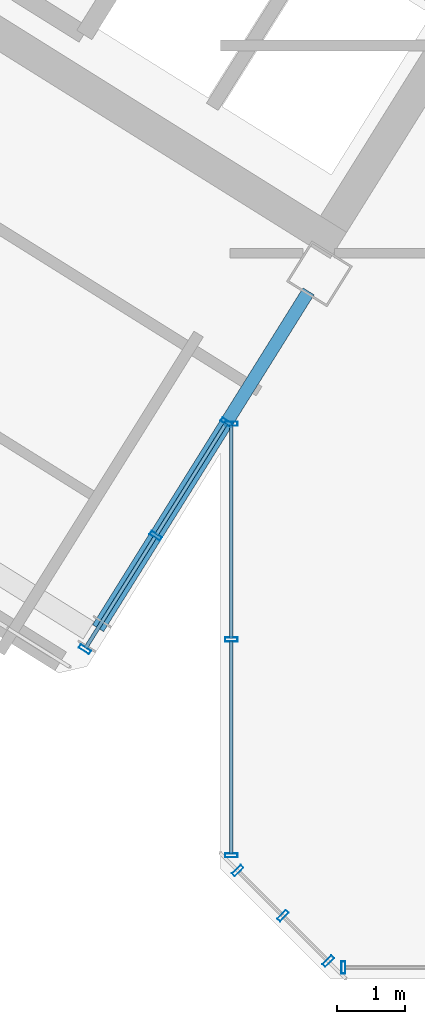
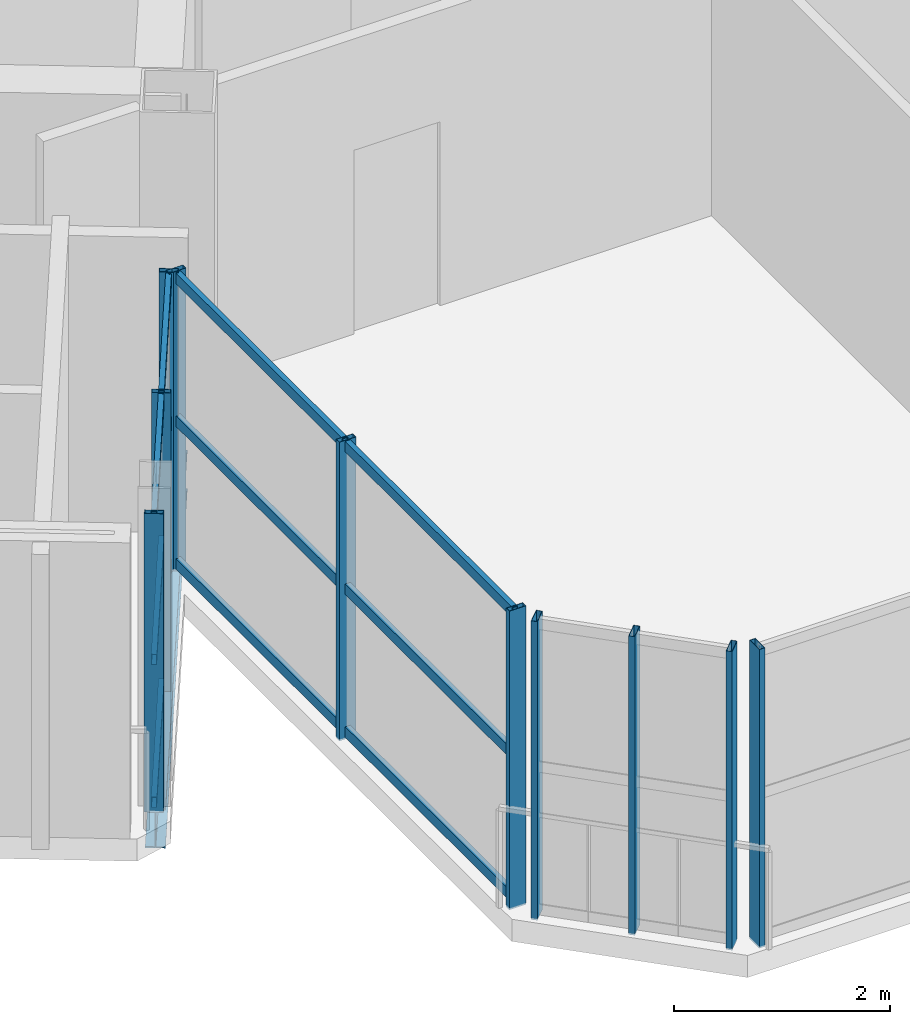
# One storey, part 3 of 17: 22 members, 1 beam, 4 elements without a shape of their own.
"""IFC4 building model written with IfcOpenShell, lengths in metres."""

from ifc_helpers import new_model, si_unit, direction, frame, origin, origin_2d, place, context, subcontext, project, spatial, hollow_rectangle, i_section, extrude, source, transform, mapped, material, material_profile, profile_set, type_object, element, aggregate, save


model = new_model("IFC4")

# Units and contexts
model_context = context("Model", 3, precision=1e-05, world=origin(), true_north=direction((0.0, 1.0)))
body_context = subcontext(model_context, "Body", "Model", "MODEL_VIEW")
ifc_project = project(units=[si_unit("LENGTHUNIT", "METRE"), si_unit("AREAUNIT", "SQUARE_METRE"), si_unit("VOLUMEUNIT", "CUBIC_METRE"), si_unit("PLANEANGLEUNIT", "RADIAN"), si_unit("MASSUNIT", "GRAM", prefix="KILO")], contexts=[model_context])

# Site, building, storey
site_placement = place(None, origin())
site = spatial("IfcSite", under=ifc_project, at=site_placement, CompositionType="ELEMENT")
building_placement = place(site_placement, origin())
building = spatial("IfcBuilding", under=site, at=building_placement, Name="Tlacorven Tower", CompositionType="ELEMENT")
storey_placement = place(building_placement, frame((0.0, 0.0, 277.199951171875)))
storey = spatial("IfcBuildingStorey", under=building, at=storey_placement, Name="L70", CompositionType="ELEMENT", Elevation=277.199951171875)

# Beam
ifc_material_1 = material(Name="Steel S355J2", Category="steel")
ifc_material_profile_1 = material_profile(ifc_material_1, i_section(OverallWidth=0.18994140625, OverallDepth=0.449951171875, WebThickness=0.009521484375, FlangeThickness=0.0146484375, at=origin_2d()), Name="IPE 450")
ifc_profile_set_1 = profile_set([ifc_material_profile_1], Name="Steel S355J2")
beam_type = type_object("IfcBeamType", Name="BM-TWR-450", PredefinedType="BEAM", material=ifc_profile_set_1)
shared_shape_1 = source(origin(), body_context, "Body", "SweptSolid", [
    extrude(i_section(OverallWidth=0.18994140625, OverallDepth=0.449951171875, WebThickness=0.009521484375, FlangeThickness=0.0146484375, at=origin_2d()), origin(), (0.0, 0.0, 1.0), 5.800048828125),
])
beam_placement = place(storey_placement, frame((32.88720703125, 11.83251953125, -0.474853515625), z_axis=(-0.529911912967, -0.848052689693, 0.0), x_axis=(0.848052689693, -0.529911912967, 0.0)))
element("IfcBeam", 1, at=beam_placement, inside=storey, type_object=beam_type, Name="L70 beam BM-L70-WT1-2", PredefinedType="BEAM", context=body_context, shape_type="MappedRepresentation", body=[
    mapped(shared_shape_1, transform((0.0, 0.0, 0.0), scale=1.0)),
])

# Curtain wall, member
ifc_material_2 = material(Name="Dark solar low-E double glazing in aluminium frame", Category="aluminium")
curtain_wall_type = type_object("IfcCurtainWallType", Name="CW-TWR-HIGH", PredefinedType="USERDEFINED", material=ifc_material_2)
curtain_wall_1_placement = place(storey_placement, origin())
curtain_wall_1 = element("IfcCurtainWall", 2, at=curtain_wall_1_placement, inside=storey, type_object=curtain_wall_type, Name="L70 CW-TWR-HIGH Curtain Wall 324", ObjectType="UNITISED CURTAIN WALL", PredefinedType="USERDEFINED")
ifc_material_3 = material(Name="Aluminium 6063-T6 anodised", Category="aluminium")
ifc_material_profile_2 = material_profile(ifc_material_3, hollow_rectangle(XDim=0.06005859375, YDim=0.179931640625, WallThickness=0.00390625, at=origin_2d()), Name="ALU MULLION 60X180")
ifc_profile_set_2 = profile_set([ifc_material_profile_2], Name="Aluminium 6063-T6 anodised")
member_type_1 = type_object("IfcMemberType", Name="CWM-03", PredefinedType="MULLION", material=ifc_profile_set_2)
shared_shape_2 = source(origin(), body_context, "Body", "SweptSolid", [
    extrude(hollow_rectangle(XDim=0.06005859375, YDim=0.179931640625, WallThickness=0.00390625, at=origin_2d()), origin(), (0.0, 0.0, 1.0), 3.380126953125),
])
member_1_placement = place(storey_placement, frame((33.396240234375, 1.9599609375, -0.02001953125), z_axis=(0.0, 0.0, 1.0), x_axis=(-1.0, 0.0, 0.0)))
member_1 = element("IfcMember", 3, at=member_1_placement, type_object=member_type_1, Name="CW-L70-324 Mullion 4", PredefinedType="MULLION", context=body_context, shape_type="MappedRepresentation", body=[
    mapped(shared_shape_2, transform((0.0, 0.0, 0.0), scale=1.0)),
])
aggregate(curtain_wall_1, [member_1])

# Curtain wall, members
curtain_wall_2_placement = place(storey_placement, origin())
curtain_wall_2 = element("IfcCurtainWall", 4, at=curtain_wall_2_placement, inside=storey, type_object=curtain_wall_type, Name="L70 CW-TWR-HIGH Curtain Wall 325", ObjectType="UNITISED CURTAIN WALL", PredefinedType="USERDEFINED")
member_2_placement = place(storey_placement, frame((33.17431640625, 2.052001953125, -0.02001953125), z_axis=(0.0, 0.0, 1.0), x_axis=(-0.707106781187, 0.707106781187, 0.0)))
member_2 = element("IfcMember", 5, at=member_2_placement, type_object=member_type_1, Name="CW-L70-325 Mullion 1", PredefinedType="MULLION", context=body_context, shape_type="MappedRepresentation", body=[
    mapped(shared_shape_2, transform((0.0, 0.0, 0.0), scale=1.0)),
])
member_3_placement = place(storey_placement, frame((32.51318359375, 2.713134765625, -0.02001953125), z_axis=(0.0, 0.0, 1.0), x_axis=(-0.707106781187, 0.707106781187, 0.0)))
member_3 = element("IfcMember", 6, at=member_3_placement, type_object=member_type_1, Name="CW-L70-325 Mullion 2", PredefinedType="MULLION", context=body_context, shape_type="MappedRepresentation", body=[
    mapped(shared_shape_2, transform((0.0, 0.0, 0.0), scale=1.0)),
])
member_4_placement = place(storey_placement, frame((31.851806640625, 3.374267578125, -0.02001953125), z_axis=(0.0, 0.0, 1.0), x_axis=(-0.707106781187, 0.707106781187, 0.0)))
member_4 = element("IfcMember", 7, at=member_4_placement, type_object=member_type_1, Name="CW-L70-325 Mullion 3", PredefinedType="MULLION", context=body_context, shape_type="MappedRepresentation", body=[
    mapped(shared_shape_2, transform((0.0, 0.0, 0.0), scale=1.0)),
])
aggregate(curtain_wall_2, [member_2, member_3, member_4])

curtain_wall_3_placement = place(storey_placement, origin())
curtain_wall_3 = element("IfcCurtainWall", 8, at=curtain_wall_3_placement, inside=storey, type_object=curtain_wall_type, Name="L70 CW-TWR-HIGH Curtain Wall 326", ObjectType="UNITISED CURTAIN WALL", PredefinedType="USERDEFINED")
member_5_placement = place(storey_placement, frame((31.760009765625, 3.59619140625, -0.02001953125), z_axis=(0.0, 0.0, 1.0), x_axis=(0.0, 1.0, 0.0)))
member_5 = element("IfcMember", 9, at=member_5_placement, type_object=member_type_1, Name="CW-L70-326 Mullion 1", PredefinedType="MULLION", context=body_context, shape_type="MappedRepresentation", body=[
    mapped(shared_shape_2, transform((0.0, 0.0, 0.0), scale=1.0)),
])
member_6_placement = place(storey_placement, frame((31.760009765625, 6.74755859375, -0.02001953125), z_axis=(0.0, 0.0, 1.0), x_axis=(0.0, 1.0, 0.0)))
member_6 = element("IfcMember", 10, at=member_6_placement, type_object=member_type_1, Name="CW-L70-326 Mullion 2", PredefinedType="MULLION", context=body_context, shape_type="MappedRepresentation", body=[
    mapped(shared_shape_2, transform((0.0, 0.0, 0.0), scale=1.0)),
])
member_7_placement = place(storey_placement, frame((31.760009765625, 9.898681640625, -0.02001953125), z_axis=(0.0, 0.0, 1.0), x_axis=(0.0, 1.0, 0.0)))
member_7 = element("IfcMember", 11, at=member_7_placement, type_object=member_type_1, Name="CW-L70-326 Mullion 3", PredefinedType="MULLION", context=body_context, shape_type="MappedRepresentation", body=[
    mapped(shared_shape_2, transform((0.0, 0.0, 0.0), scale=1.0)),
])

curtain_wall_4_placement = place(storey_placement, origin())
curtain_wall_4 = element("IfcCurtainWall", 12, at=curtain_wall_4_placement, inside=storey, type_object=curtain_wall_type, Name="L70 CW-TWR-HIGH Curtain Wall 327", ObjectType="UNITISED CURTAIN WALL", PredefinedType="USERDEFINED")
member_8_placement = place(storey_placement, frame((31.691162109375, 9.91845703125, -0.02001953125), z_axis=(0.0, 0.0, 1.0), x_axis=(-0.529918710919, -0.848048441905, 0.0)))
member_8 = element("IfcMember", 13, at=member_8_placement, type_object=member_type_1, Name="CW-L70-327 Mullion 1", PredefinedType="MULLION", context=body_context, shape_type="MappedRepresentation", body=[
    mapped(shared_shape_2, transform((0.0, 0.0, 0.0), scale=1.0)),
])
member_9_placement = place(storey_placement, frame((30.656005859375, 8.261962890625, -0.02001953125), z_axis=(0.0, 0.0, 1.0), x_axis=(-0.529918710919, -0.848048441905, 0.0)))
member_9 = element("IfcMember", 14, at=member_9_placement, type_object=member_type_1, Name="CW-L70-327 Mullion 2", PredefinedType="MULLION", context=body_context, shape_type="MappedRepresentation", body=[
    mapped(shared_shape_2, transform((0.0, 0.0, 0.0), scale=1.0)),
])
member_10_placement = place(storey_placement, frame((29.620849609375, 6.605224609375, -0.02001953125), z_axis=(0.0, 0.0, 1.0), x_axis=(-0.529918710919, -0.848048441905, 0.0)))
member_10 = element("IfcMember", 15, at=member_10_placement, type_object=member_type_1, Name="CW-L70-327 Mullion 3", PredefinedType="MULLION", context=body_context, shape_type="MappedRepresentation", body=[
    mapped(shared_shape_2, transform((0.0, 0.0, 0.0), scale=1.0)),
])

# Member
ifc_material_profile_3 = material_profile(ifc_material_3, hollow_rectangle(XDim=0.054931640625, YDim=0.1201171875, WallThickness=0.00341796875, at=origin_2d()), Name="ALU TRANSOM 55X120")
ifc_profile_set_3 = profile_set([ifc_material_profile_3], Name="Aluminium 6063-T6 anodised")
member_type_2 = type_object("IfcMemberType", Name="CWT-03", PredefinedType="USERDEFINED", material=ifc_profile_set_3)
shared_shape_3 = source(origin(), body_context, "Body", "SweptSolid", [
    extrude(hollow_rectangle(XDim=0.054931640625, YDim=0.1201171875, WallThickness=0.00341796875, at=origin_2d()), origin(), (0.0, 0.0, 1.0), 3.115234375),
])
member_11_placement = place(storey_placement, frame((31.760009765625, 3.6142578125, 0.06005859375), z_axis=(0.0, 1.0, 0.0), x_axis=(-1.0, 0.0, 0.0)))
member_11 = element("IfcMember", 16, at=member_11_placement, type_object=member_type_2, Name="CW-L70-326 Transom 1", ObjectType="TRANSOM", PredefinedType="USERDEFINED", context=body_context, shape_type="MappedRepresentation", body=[
    mapped(shared_shape_3, transform((0.0, 0.0, 0.0), scale=1.0)),
])

member_12_placement = place(storey_placement, frame((31.760009765625, 3.6142578125, 1.675048828125), z_axis=(0.0, 1.0, 0.0), x_axis=(-1.0, 0.0, 0.0)))
member_12 = element("IfcMember", 17, at=member_12_placement, type_object=member_type_2, Name="CW-L70-326 Transom 2", ObjectType="TRANSOM", PredefinedType="USERDEFINED", context=body_context, shape_type="MappedRepresentation", body=[
    mapped(shared_shape_3, transform((0.0, 0.0, 0.0), scale=1.0)),
])

member_13_placement = place(storey_placement, frame((31.760009765625, 3.6142578125, 3.2900390625), z_axis=(0.0, 1.0, 0.0), x_axis=(-1.0, 0.0, 0.0)))
member_13 = element("IfcMember", 18, at=member_13_placement, type_object=member_type_2, Name="CW-L70-326 Transom 3", ObjectType="TRANSOM", PredefinedType="USERDEFINED", context=body_context, shape_type="MappedRepresentation", body=[
    mapped(shared_shape_3, transform((0.0, 0.0, 0.0), scale=1.0)),
])

member_14_placement = place(storey_placement, frame((31.760009765625, 6.765380859375, 0.06005859375), z_axis=(0.0, 1.0, 0.0), x_axis=(-1.0, 0.0, 0.0)))
member_14 = element("IfcMember", 19, at=member_14_placement, type_object=member_type_2, Name="CW-L70-326 Transom 4", ObjectType="TRANSOM", PredefinedType="USERDEFINED", context=body_context, shape_type="MappedRepresentation", body=[
    mapped(shared_shape_3, transform((0.0, 0.0, 0.0), scale=1.0)),
])

member_15_placement = place(storey_placement, frame((31.760009765625, 6.765380859375, 1.675048828125), z_axis=(0.0, 1.0, 0.0), x_axis=(-1.0, 0.0, 0.0)))
member_15 = element("IfcMember", 20, at=member_15_placement, type_object=member_type_2, Name="CW-L70-326 Transom 5", ObjectType="TRANSOM", PredefinedType="USERDEFINED", context=body_context, shape_type="MappedRepresentation", body=[
    mapped(shared_shape_3, transform((0.0, 0.0, 0.0), scale=1.0)),
])

member_16_placement = place(storey_placement, frame((31.760009765625, 6.765380859375, 3.2900390625), z_axis=(0.0, 1.0, 0.0), x_axis=(-1.0, 0.0, 0.0)))
member_16 = element("IfcMember", 21, at=member_16_placement, type_object=member_type_2, Name="CW-L70-326 Transom 6", ObjectType="TRANSOM", PredefinedType="USERDEFINED", context=body_context, shape_type="MappedRepresentation", body=[
    mapped(shared_shape_3, transform((0.0, 0.0, 0.0), scale=1.0)),
])

aggregate(curtain_wall_3, [member_5, member_6, member_7, member_11, member_12, member_13, member_14, member_15, member_16])

shared_shape_4 = source(origin(), body_context, "Body", "SweptSolid", [
    extrude(hollow_rectangle(XDim=0.054931640625, YDim=0.1201171875, WallThickness=0.00341796875, at=origin_2d()), origin(), (0.0, 0.0, 1.0), 1.91748046875),
])
member_17_placement = place(storey_placement, frame((31.681640625, 9.903076171875, 0.06005859375), z_axis=(-0.529953157166, -0.84802691656, 0.0), x_axis=(0.84802691656, -0.529953157166, 0.0)))
member_17 = element("IfcMember", 22, at=member_17_placement, type_object=member_type_2, Name="CW-L70-327 Transom 1", ObjectType="TRANSOM", PredefinedType="USERDEFINED", context=body_context, shape_type="MappedRepresentation", body=[
    mapped(shared_shape_4, transform((0.0, 0.0, 0.0), scale=1.0)),
])

member_18_placement = place(storey_placement, frame((31.681640625, 9.903076171875, 1.675048828125), z_axis=(-0.529953157166, -0.84802691656, 0.0), x_axis=(0.84802691656, -0.529953157166, 0.0)))
member_18 = element("IfcMember", 23, at=member_18_placement, type_object=member_type_2, Name="CW-L70-327 Transom 2", ObjectType="TRANSOM", PredefinedType="USERDEFINED", context=body_context, shape_type="MappedRepresentation", body=[
    mapped(shared_shape_4, transform((0.0, 0.0, 0.0), scale=1.0)),
])

member_19_placement = place(storey_placement, frame((31.681640625, 9.903076171875, 3.2900390625), z_axis=(-0.529953157166, -0.84802691656, 0.0), x_axis=(0.84802691656, -0.529953157166, 0.0)))
member_19 = element("IfcMember", 24, at=member_19_placement, type_object=member_type_2, Name="CW-L70-327 Transom 3", ObjectType="TRANSOM", PredefinedType="USERDEFINED", context=body_context, shape_type="MappedRepresentation", body=[
    mapped(shared_shape_4, transform((0.0, 0.0, 0.0), scale=1.0)),
])

member_20_placement = place(storey_placement, frame((30.646484375, 8.24658203125, 0.06005859375), z_axis=(-0.529953157166, -0.84802691656, 0.0), x_axis=(0.84802691656, -0.529953157166, 0.0)))
member_20 = element("IfcMember", 25, at=member_20_placement, type_object=member_type_2, Name="CW-L70-327 Transom 4", ObjectType="TRANSOM", PredefinedType="USERDEFINED", context=body_context, shape_type="MappedRepresentation", body=[
    mapped(shared_shape_4, transform((0.0, 0.0, 0.0), scale=1.0)),
])

member_21_placement = place(storey_placement, frame((30.646484375, 8.24658203125, 1.675048828125), z_axis=(-0.529953157166, -0.84802691656, 0.0), x_axis=(0.84802691656, -0.529953157166, 0.0)))
member_21 = element("IfcMember", 26, at=member_21_placement, type_object=member_type_2, Name="CW-L70-327 Transom 5", ObjectType="TRANSOM", PredefinedType="USERDEFINED", context=body_context, shape_type="MappedRepresentation", body=[
    mapped(shared_shape_4, transform((0.0, 0.0, 0.0), scale=1.0)),
])

member_22_placement = place(storey_placement, frame((30.646484375, 8.24658203125, 3.2900390625), z_axis=(-0.529953157166, -0.84802691656, 0.0), x_axis=(0.84802691656, -0.529953157166, 0.0)))
member_22 = element("IfcMember", 27, at=member_22_placement, type_object=member_type_2, Name="CW-L70-327 Transom 6", ObjectType="TRANSOM", PredefinedType="USERDEFINED", context=body_context, shape_type="MappedRepresentation", body=[
    mapped(shared_shape_4, transform((0.0, 0.0, 0.0), scale=1.0)),
])

aggregate(curtain_wall_4, [member_8, member_9, member_10, member_17, member_18, member_19, member_20, member_21, member_22])

save(model, "model.ifc")
